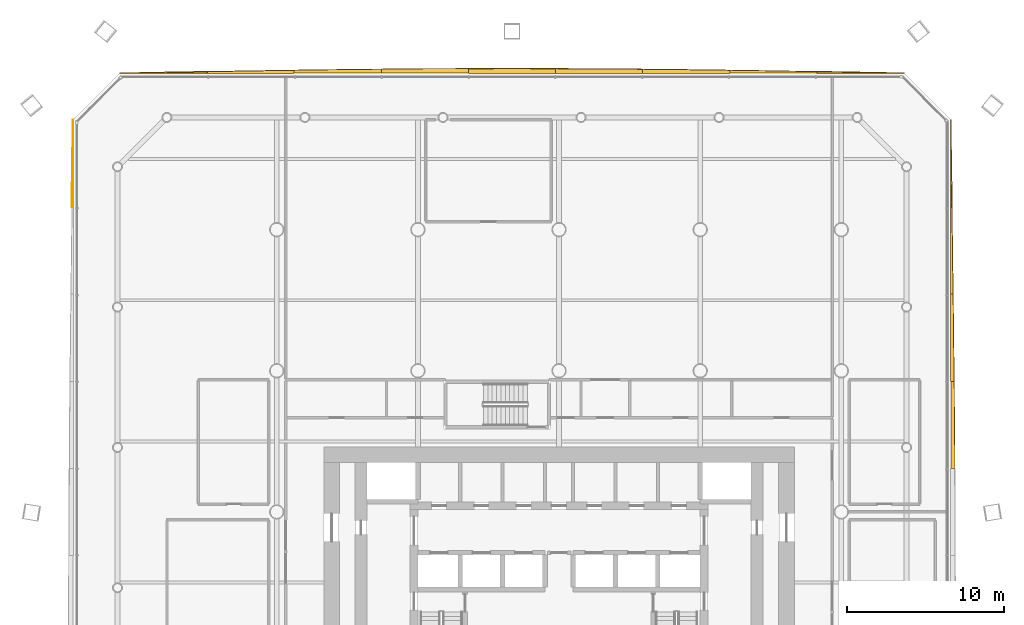
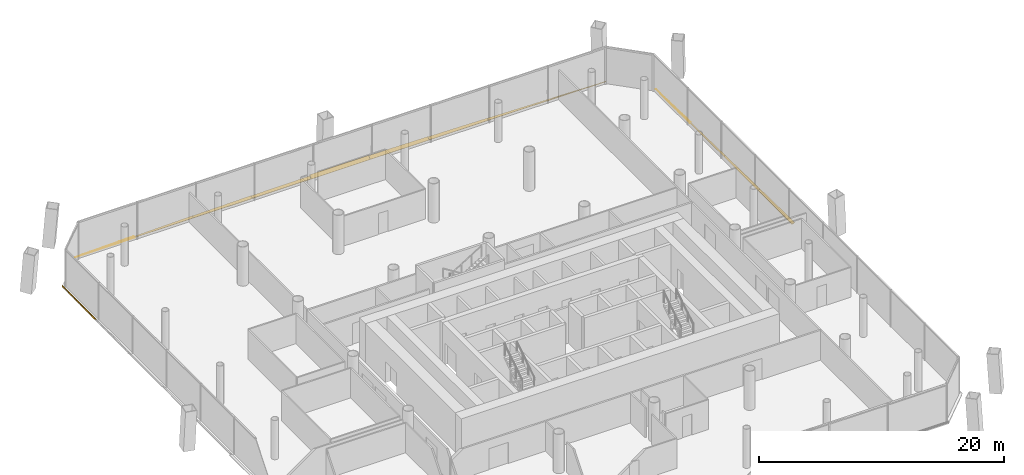
# One storey, part 23 of 23: 14 shading devices.
"""IFC4 building model written with IfcOpenShell, lengths in metres."""

import ifcopenshell
import ifcopenshell.guid

model = None  # the IFC model being written
_history = None  # IfcOwnerHistory: only IFC2X3 demands one
_inside = {}  # id of a spatial element -> (the spatial element, [elements in it])
_under = {}  # id of a project, library or spatial element -> (it, [spatial elements below it])
_declared = {}  # id of a project -> (the project, [libraries it declares])
_typed = {}  # id of a type object -> (the type object, [elements of that type])
_made_of = {}  # id of a material, layer set ... -> (it, [elements and type objects made of it])


def new_model(schema):
    """Start an empty IFC model of exactly this schema.

    Asked for "IFC4X3", IfcOpenShell would pick the latest addendum, in which some entities
    have other attributes; the version numbers below select the first issue.
    IFC2X3 requires an IfcOwnerHistory on every rooted entity: one is made here for all.
    """
    global model, _history
    if schema == "IFC4X3":
        model = ifcopenshell.file(schema_version=(4, 3, 0, 0))
    else:
        model = ifcopenshell.file(schema=schema)
    _inside.clear()
    _under.clear()
    _declared.clear()
    _typed.clear()
    _made_of.clear()
    _history = None
    if model.schema == "IFC2X3":
        org = make("IfcOrganization", Name="unknown")
        user = make(
            "IfcPersonAndOrganization",
            ThePerson=make("IfcPerson", FamilyName="unknown"),
            TheOrganization=org,
        )
        app = make(
            "IfcApplication",
            ApplicationDeveloper=org,
            Version="unknown",
            ApplicationFullName="unknown",
            ApplicationIdentifier="unknown",
        )
        _history = make(
            "IfcOwnerHistory",
            OwningUser=user,
            OwningApplication=app,
            ChangeAction="ADDED",
            CreationDate=0,
        )
    return model


def make(cls, **values):
    """One entity of the class cls with the attributes given. An attribute that is None is left unset."""
    return model.create_entity(
        cls, **{name: value for name, value in values.items() if value is not None}
    )


def rooted(cls, **values):
    """An entity with a GlobalId (a new one), such as an element, a storey or a relation."""
    return make(cls, GlobalId=ifcopenshell.guid.new(), OwnerHistory=_history, **values)


def si_unit(unit_type, name, prefix=None):
    """IfcSIUnit, for example si_unit("LENGTHUNIT", "METRE", prefix="MILLI")."""
    return make("IfcSIUnit", UnitType=unit_type, Prefix=prefix, Name=name)


def assignment(units):
    """IfcUnitAssignment: the units of a project."""
    return None if units is None else make("IfcUnitAssignment", Units=units)


def point(xyz):
    """IfcCartesianPoint."""
    return None if xyz is None else make("IfcCartesianPoint", Coordinates=xyz)


def direction(xyz):
    """IfcDirection."""
    return None if xyz is None else make("IfcDirection", DirectionRatios=xyz)


def frame(location, z_axis=None, x_axis=None):
    """IfcAxis2Placement3D, a coordinate frame: its origin and axes. An axis left out is left unset."""
    return make(
        "IfcAxis2Placement3D",
        Location=point(location),
        Axis=direction(z_axis),
        RefDirection=direction(x_axis),
    )


def origin():
    """The frame at (0, 0, 0) with its axes left unset."""
    return frame((0.0, 0.0, 0.0))


def place(relative_to, where):
    """IfcLocalPlacement: puts the frame where relative to a parent placement (None: the world)."""
    return make(
        "IfcLocalPlacement", PlacementRelTo=relative_to, RelativePlacement=where
    )


def context(
    kind, dimensions, precision=None, world=None, true_north=None, identifier=None
):
    """IfcGeometricRepresentationContext, for example the 3D "Model" context."""
    return make(
        "IfcGeometricRepresentationContext",
        ContextIdentifier=identifier,
        ContextType=kind,
        CoordinateSpaceDimension=dimensions,
        Precision=precision,
        WorldCoordinateSystem=world,
        TrueNorth=true_north,
    )


def subcontext(parent, identifier, kind, view, scale=None):
    """IfcGeometricRepresentationSubContext, for example "Body" below "Model"."""
    return make(
        "IfcGeometricRepresentationSubContext",
        ContextIdentifier=identifier,
        ContextType=kind,
        ParentContext=parent,
        TargetScale=scale,
        TargetView=view,
    )


def project(units=None, contexts=None):
    """IfcProject with its units and contexts."""
    return rooted(
        "IfcProject",
        Name="project",
        RepresentationContexts=contexts,
        UnitsInContext=assignment(units),
    )


def spatial(cls, under=None, at=None, **own):
    """A site, building, storey or space (cls), placed at a placement, below another one or the project."""
    s = rooted(cls, ObjectPlacement=at, **own)
    if under is not None:
        _under.setdefault(under.id(), (under, []))[1].append(s)
    return s


def polyline(points):
    """IfcPolyline through the points."""
    return make("IfcPolyline", Points=[point(p) for p in points])


def outline(outer, holes=None, kind="AREA"):
    """IfcArbitraryClosedProfileDef: a profile drawn as a closed curve; with holes, ...WithVoids."""
    if holes is None:
        return make("IfcArbitraryClosedProfileDef", ProfileType=kind, OuterCurve=outer)
    return make(
        "IfcArbitraryProfileDefWithVoids",
        ProfileType=kind,
        OuterCurve=outer,
        InnerCurves=holes,
    )


def extrude(swept, where, along, depth):
    """IfcExtrudedAreaSolid: the profile swept, set in the frame where, extruded along a direction by depth."""
    return make(
        "IfcExtrudedAreaSolid",
        SweptArea=swept,
        Position=where,
        ExtrudedDirection=direction(along),
        Depth=depth,
    )


def shape(context_of_items, identifier, shape_type, items):
    """IfcShapeRepresentation: the items that make up one representation, for example the "Body"."""
    return make(
        "IfcShapeRepresentation",
        ContextOfItems=context_of_items,
        RepresentationIdentifier=identifier,
        RepresentationType=shape_type,
        Items=items,
    )


def material(Name=None, Category=None):
    """IfcMaterial."""
    return make("IfcMaterial", Name=Name, Category=Category)


def layer(
    of_material, thickness, ventilated=None, Name=None, Category=None, Priority=None
):
    """IfcMaterialLayer: one layer of a wall or slab, of a material (None: an air gap)."""
    return make(
        "IfcMaterialLayer",
        Material=of_material,
        LayerThickness=thickness,
        IsVentilated=ventilated,
        Name=Name,
        Category=Category,
        Priority=Priority,
    )


def layer_set(layers, Name=None):
    """IfcMaterialLayerSet."""
    return make("IfcMaterialLayerSet", MaterialLayers=layers, LayerSetName=Name)


def made_of(thing, what):
    """Note that an element or type object is made of a material, layer set ...; save() writes the relation."""
    if what is not None:
        _made_of.setdefault(what.id(), (what, []))[1].append(thing)
    return thing


def type_object(cls, material=None, **own):
    """A type object (cls), such as IfcWallType, which elements share."""
    return made_of(rooted(cls, **own), material)


def element(
    cls,
    number,
    at=None,
    inside=None,
    cuts=None,
    type_object=None,
    material=None,
    context=None,
    identifier="Body",
    shape_type=None,
    held_by="IfcProductDefinitionShape",
    body=None,
    shapes=None,
    **own,
):
    """One element of the class cls, such as IfcWall. Its Tag is "e" and its number.

    at: its placement. inside: the storey or other place that contains it. cuts: it is an
    opening in that element (IfcRelVoidsElement). A single representation is given by context,
    identifier, shape_type and body (its items); several are given by shapes. held_by: the class
    of the entity that holds the representations. save() writes the other relations.
    """
    e = rooted(cls, Tag="e%d" % number, ObjectPlacement=at, **own)
    if body is not None:
        shapes = [shape(context, identifier, shape_type, body)]
    if shapes is not None:
        e.Representation = make(held_by, Representations=shapes)
    if inside is not None:
        _inside.setdefault(inside.id(), (inside, []))[1].append(e)
    if cuts is not None:
        rooted(
            "IfcRelVoidsElement", RelatingBuildingElement=cuts, RelatedOpeningElement=e
        )
    if type_object is not None:
        _typed.setdefault(type_object.id(), (type_object, []))[1].append(e)
    return made_of(e, material)


def aggregate(whole, parts):
    """IfcRelAggregates: a whole, such as a stair, and the parts it consists of."""
    return rooted("IfcRelAggregates", RelatingObject=whole, RelatedObjects=parts)


def save(model, path):
    """Write the relations noted so far, then the file.

    IfcRelAggregates (storeys below a building ...), IfcRelContainedInSpatialStructure (elements
    in a storey), IfcRelDefinesByType, IfcRelAssociatesMaterial and IfcRelDeclares: one each for
    every whole, place, type object, material and project.
    """
    for whole, parts in _under.values():
        aggregate(whole, parts)
    for where, things in _inside.values():
        rooted(
            "IfcRelContainedInSpatialStructure",
            RelatedElements=things,
            RelatingStructure=where,
        )
    for kind, things in _typed.values():
        rooted("IfcRelDefinesByType", RelatedObjects=things, RelatingType=kind)
    for what, things in _made_of.values():
        rooted("IfcRelAssociatesMaterial", RelatedObjects=things, RelatingMaterial=what)
    for by, libraries in _declared.values():
        rooted("IfcRelDeclares", RelatingContext=by, RelatedDefinitions=libraries)
    model.write(path)


model = new_model("IFC4")

# Units and contexts
model_context = context("Model", 3, precision=1e-05, world=origin(), true_north=direction((0.0, 1.0)))
body_context = subcontext(model_context, "Body", "Model", "MODEL_VIEW")
ifc_project = project(units=[si_unit("LENGTHUNIT", "METRE"), si_unit("AREAUNIT", "SQUARE_METRE"), si_unit("VOLUMEUNIT", "CUBIC_METRE"), si_unit("PLANEANGLEUNIT", "RADIAN"), si_unit("MASSUNIT", "GRAM", prefix="KILO")], contexts=[model_context])

# Site, building, storey
site_placement = place(None, origin())
site = spatial("IfcSite", under=ifc_project, at=site_placement, CompositionType="ELEMENT")
building_placement = place(site_placement, origin())
building = spatial("IfcBuilding", under=site, at=building_placement, Name="Tskaro Facet Tower", CompositionType="ELEMENT")
storey_placement = place(building_placement, frame((0.0, 0.0, 14.699951171875)))
storey = spatial("IfcBuildingStorey", under=building, at=storey_placement, Name="L02", CompositionType="ELEMENT", Elevation=14.699951171875)

# Shading devices
ifc_material = material(Name="Bronze anodised aluminium 6063-T6", Category="aluminium")
ifc_layer = layer(ifc_material, 0.06005859375, Name="Bronze anodised aluminium 6063-T6")
ifc_layer_set = layer_set([ifc_layer], Name="Bronze anodised aluminium 6063-T6")
shading_device_type = type_object("IfcShadingDeviceType", Name="Bronze sun blade (FN1)", PredefinedType="USERDEFINED", material=ifc_layer_set)
shading_device_1_placement = place(storey_placement, frame((24.9794921875, 2.77783203125, 0.056396484375), z_axis=(-0.342153063528, -1.3047884e-05, 0.939644231051), x_axis=(-4.464373e-06, 0.999999999915, 1.2260368e-05)))
element("IfcShadingDevice", 1, at=shading_device_1_placement, inside=storey, type_object=shading_device_type, Name="Fin blade east 6", ObjectType="FIN", PredefinedType="USERDEFINED", context=body_context, shape_type="SweptSolid", body=[
    extrude(outline(polyline([(0.0, 0.0), (5.555419921402103, 4.705623709661036e-21), (5.555419922540837, -0.23023443074007577), (4.8610839845143055, -0.2374931146041504), (4.1665039069527285, -0.24452239313835897), (3.472167968112812, -0.251238732879919), (2.7778320303628306, -0.25772566729161295), (2.083251953077804, -0.26398319637344086), (1.3889160145144381, -0.26992778666262024), (0.6943359375059626, -0.2754135662920675), (-7.808527803647356e-10, -0.2805864071288662), (0.0, 0.0)])), origin(), (0.0, 0.0, -1.0), 0.06005859375),
])
shading_device_2_placement = place(storey_placement, frame((24.974609375, 8.333251953125, 0.054443359375), z_axis=(-0.422449911916, 4.155894e-06, 0.906386270806), x_axis=(1.755657e-06, 0.999999999991, -3.766845e-06)))
element("IfcShadingDevice", 2, at=shading_device_2_placement, inside=storey, type_object=shading_device_type, Name="Fin blade east 7", ObjectType="FIN", PredefinedType="USERDEFINED", context=body_context, shape_type="SweptSolid", body=[
    extrude(outline(polyline([(0.0, 0.0), (5.555664062452023, 1.1764576262035436e-21), (5.5556640626040315, -0.16940790735695954), (4.861083984772742, -0.17880310219806908), (4.166748047137824, -0.18797701132853076), (3.472412109502906, -0.19715092045899246), (2.7778320313053757, -0.20577912098263124), (2.083496093732843, -0.21440732150627004), (1.3889160151066855, -0.222814236319261), (0.6945800775965384, -0.23089672823607693), (-4.759379522767845e-11, -0.23865479725671784), (0.0, 0.0)])), origin(), (0.0, 0.0, -1.0), 0.06005859375),
])
shading_device_3_placement = place(storey_placement, frame((24.969970703125, 13.888916015625, 0.052001953125), z_axis=(-0.499738716057, 3.565354e-06, 0.866176203587), x_axis=(1.781746e-06, 0.999999999994, -3.088225e-06)))
element("IfcShadingDevice", 3, at=shading_device_3_placement, inside=storey, type_object=shading_device_type, Name="Fin blade east 8", ObjectType="FIN", PredefinedType="USERDEFINED", context=body_context, shape_type="SweptSolid", body=[
    extrude(outline(polyline([(0.0, 0.0), (5.5554199218396905, 2.352811854830518e-21), (5.555419921903838, -0.09187605492934156), (4.861083984467004, -0.10314095693449248), (4.166748046595171, -0.1141943901399381), (3.4721679688523026, -0.12512581682290813), (2.777832031299436, -0.13584577470617282), (2.0832519526865734, -0.14635426378973224), (1.388916015887668, -0.15695221515052135), (0.6943359375937709, -0.16712722891189985), (-7.512791866418413e-11, -0.17730224267327838), (0.0, 0.0)])), origin(), (0.0, 0.0, -1.0), 0.06005859375),
])
shading_device_4_placement = place(storey_placement, frame((24.965576171875, 19.4443359375, 0.04931640625), z_axis=(-0.572034925314, 2.3406453e-05, 0.820229262873), x_axis=(1.3389309e-05, 0.999999999726, -1.9198658e-05)))
element("IfcShadingDevice", 4, at=shading_device_4_placement, inside=storey, type_object=shading_device_type, Name="Fin blade east 9", ObjectType="FIN", PredefinedType="USERDEFINED", context=body_context, shape_type="SweptSolid", body=[
    extrude(outline(polyline([(0.0, 0.0), (5.555664060978131, 0.0), (4.861328126451348, -0.012120697680708902), (4.16674804661246, -0.024381052325644054), (3.472412110667379, -0.03684165825551515), (2.77783203082849, -0.04910201290045031), (2.0834960930328332, -0.061022459296223255), (1.3889160131939446, -0.0732828139411584), (0.6945800753982876, -0.08520326033693136), (-3.0223027419578972e-09, -0.0971237067327043), (0.0, 0.0)])), origin(), (0.0, 0.0, -1.0), 0.06005859375),
])
shading_device_5_placement = place(storey_placement, frame((22.0, 27.9794921875, 0.056396484375), z_axis=(-2.3541805e-05, -0.343408877839, 0.939185999718), x_axis=(-0.999999999723, 8.084465e-06, -2.2110133e-05)))
element("IfcShadingDevice", 5, at=shading_device_5_placement, inside=storey, type_object=shading_device_type, Name="Fin blade north 1", ObjectType="FIN", PredefinedType="USERDEFINED", context=body_context, shape_type="SweptSolid", body=[
    extrude(outline(polyline([(0.0, 0.0), (5.5556640609604795, 4.7058305048141744e-21), (5.555664064042702, -0.10913078083861884), (4.861083982612787, -0.09592769348468115), (4.166748047205788, -0.08264076607265404), (3.4721679692001093, -0.06912454520360088), (2.7778320298456167, -0.05537903087752168), (2.0832519498661926, -0.04163351655144249), (1.3889160159096816, -0.02780416216727386), (0.6943359359302569, -0.014058647841194665), (0.0, 0.0)])), origin(), (0.0, 0.0, -1.0), 0.06005859375),
])
shading_device_6_placement = place(storey_placement, frame((16.4443359375, 27.974609375, 0.054443359375), z_axis=(-1.1142487e-05, -0.422581052799, 0.906325136853), x_axis=(-0.999999999938, 4.708604e-06, -1.0098716e-05)))
element("IfcShadingDevice", 6, at=shading_device_6_placement, inside=storey, type_object=shading_device_type, Name="Fin blade north 2", ObjectType="FIN", PredefinedType="USERDEFINED", context=body_context, shape_type="SweptSolid", body=[
    extrude(outline(polyline([(0.0, 0.0), (5.555419921530134, -4.705623709661036e-21), (5.555419922377196, -0.21277018691352434), (4.861083983483344, -0.20151659908299277), (4.1665039052804556, -0.1899385712647331), (3.4721679678689346, -0.17781483267336715), (2.777587892297935, -0.16558792487965124), (2.083251952587292, -0.153021644717529), (1.3886718748835536, -0.13980648457995054), (0.6943359378048004, -0.1265913244423721), (-4.2351418454326835e-10, -0.11315489351941545), (0.0, 0.0)])), origin(), (0.0, 0.0, -1.0), 0.06005859375),
])
shading_device_7_placement = place(storey_placement, frame((10.888916015625, 27.969970703125, 0.052001953125), z_axis=(-4.999052e-06, -0.500005986868, 0.866021947223), x_axis=(-0.999999999988, 2.499556e-06, -4.329289e-06)))
element("IfcShadingDevice", 7, at=shading_device_7_placement, inside=storey, type_object=shading_device_type, Name="Fin blade north 3", ObjectType="FIN", PredefinedType="USERDEFINED", context=body_context, shape_type="SweptSolid", body=[
    extrude(outline(polyline([(0.0, 0.0), (5.555664062430581, -2.3529152524070872e-21), (5.555664062758759, -0.29991480170827967), (4.861083984466913, -0.2920415814171364), (4.166748047246778, -0.2838348582123926), (3.4721679686278706, -0.27487176981512573), (2.77783203047043, -0.2653637473647971), (2.083251953191659, -0.25540015022672885), (1.388916015317399, -0.24501369080973798), (0.694580078336563, -0.23396022556554613), (1.2048703731031585e-10, -0.22269532918189303), (0.0, 0.0)])), origin(), (0.0, 0.0, -1.0), 0.06005859375),
])
shading_device_8_placement = place(storey_placement, frame((5.333251953125, 27.965576171875, 0.04931640625), z_axis=(-2.084349e-06, -0.573342668851, 0.819315680352), x_axis=(-0.999999999998, 1.195046e-06, -1.707739e-06)))
element("IfcShadingDevice", 8, at=shading_device_8_placement, inside=storey, type_object=shading_device_type, Name="Fin blade north 4", ObjectType="FIN", PredefinedType="USERDEFINED", context=body_context, shape_type="SweptSolid", body=[
    extrude(outline(polyline([(0.0, 0.0), (5.555419921862933, 0.0), (5.555419921753143, -0.3605940463246542), (4.861083984255558, -0.3576139302393264), (4.1665039060915525, -0.3537537769521517), (3.4721679688028866, -0.3492136147054037), (2.777587890722631, -0.34413341973659534), (2.0832519532259535, -0.3381731875659399), (1.388916015854446, -0.33187295091549784), (0.6943359373995895, -0.32483265330072153), (-1.7992884305617637e-10, -0.317112346726372), (0.0, 0.0)])), origin(), (0.0, 0.0, -1.0), 0.06005859375),
])
shading_device_9_placement = place(storey_placement, frame((-0.22216796875, 27.96142578125, 0.0458984375), z_axis=(0.0, -0.643083723516, 0.765795876555), x_axis=(-1.0, 0.0, 0.0)))
element("IfcShadingDevice", 9, at=shading_device_9_placement, inside=storey, type_object=shading_device_type, Name="Fin blade north 5", ObjectType="FIN", PredefinedType="USERDEFINED", context=body_context, shape_type="SweptSolid", body=[
    extrude(outline(polyline([(0.0, 0.0), (5.5556640625, 0.0), (5.5556640625, -0.3857387875302562), (4.861083984375, -0.38833350263695854), (4.166748046875, -0.3902402882514387), (3.47216796875, -0.39145914437369655), (2.77783203125, -0.3918031091198077), (2.77783203125, -0.3918031091198077), (2.08349609375, -0.39145914437369655), (1.388916015625, -0.3902402882514387), (0.694580078125, -0.38833350263695854), (0.0, -0.3857387875302562), (0.0, 0.0)])), origin(), (0.0, 0.0, -1.0), 0.06005859375),
])
shading_device_10_placement = place(storey_placement, frame((-5.77783203125, 27.9794921875, 0.056396484375), z_axis=(-1.8171998e-05, -0.342030394928, 0.939688889269), x_axis=(-0.999999999835, 6.215376e-06, -1.7076024e-05)))
element("IfcShadingDevice", 10, at=shading_device_10_placement, inside=storey, type_object=shading_device_type, Name="Fin blade north 6", ObjectType="FIN", PredefinedType="USERDEFINED", context=body_context, shape_type="SweptSolid", body=[
    extrude(outline(polyline([(0.0, 0.0), (5.555419920957741, 0.0), (5.55541992211452, -0.27641473173975706), (4.861083982492717, -0.28321458893576945), (4.166503907549006, -0.28938860663744176), (3.472167968677977, -0.29487437564080565), (2.777832032458474, -0.3000472248969994), (2.0832519510617344, -0.3045318254548847), (1.3889160155930054, -0.3083905865184299), (0.6943359364644656, -0.3117905151164361), (-2.4224404580794956e-09, -0.3144186915017333), (0.0, 0.0)])), origin(), (0.0, 0.0, -1.0), 0.06005859375),
])
shading_device_11_placement = place(storey_placement, frame((-11.333251953125, 27.974609375, 0.054443359375), z_axis=(-4.636396e-06, -0.422507876535, 0.906359252308), x_axis=(-0.999999999989, 1.958914e-06, -4.202241e-06)))
element("IfcShadingDevice", 11, at=shading_device_11_placement, inside=storey, type_object=shading_device_type, Name="Fin blade north 7", ObjectType="FIN", PredefinedType="USERDEFINED", context=body_context, shape_type="SweptSolid", body=[
    extrude(outline(polyline([(0.0, 0.0), (5.555664062440288, 1.1764576262035436e-21), (5.555664062713103, -0.21277019235781214), (4.861083984232772, -0.22358123233509794), (4.166748046925125, -0.23406784186100252), (3.4724121096869154, -0.24400874182119053), (2.777832030867207, -0.2535070835527078), (2.0834960932201834, -0.26268099483284385), (1.388916016043537, -0.27120604521021746), (0.6945800780571361, -0.279067258244585), (-6.57484364452217e-12, -0.2866040408275713), (0.0, 0.0)])), origin(), (0.0, 0.0, -1.0), 0.06005859375),
])
shading_device_12_placement = place(storey_placement, frame((-16.888916015625, 27.969970703125, 0.052001953125), z_axis=(1.3198365e-05, -0.500166945375, 0.86592899627), x_axis=(-0.999999999913, -6.601386e-06, 1.1428847e-05)))
element("IfcShadingDevice", 12, at=shading_device_12_placement, inside=storey, type_object=shading_device_type, Name="Fin blade north 8", ObjectType="FIN", PredefinedType="USERDEFINED", context=body_context, shape_type="SweptSolid", body=[
    extrude(outline(polyline([(0.0, 0.0), (5.555419921391132, 4.705623709661036e-21), (5.555419922520949, -0.11846453764685425), (4.86108398541523, -0.13257618101462204), (4.166748047130932, -0.1463543048653578), (3.472167968221654, -0.16013242871609357), (2.7778320303704427, -0.17336562460342403), (2.0832519523273394, -0.1860538925273492), (1.388916014909215, -0.1987421604512743), (0.6943359372991993, -0.21088550041179413), (-8.644173246184462e-10, -0.22269532085528193), (0.0, 0.0)])), origin(), (0.0, 0.0, -1.0), 0.06005859375),
])
shading_device_13_placement = place(storey_placement, frame((-22.4443359375, 27.965576171875, 0.04931640625), z_axis=(-2.2998811e-05, -0.572619561928, 0.819821222443), x_axis=(-0.999999999736, 1.3169569e-05, -1.8854913e-05)))
element("IfcShadingDevice", 13, at=shading_device_13_placement, inside=storey, type_object=shading_device_type, Name="Fin blade north 9", ObjectType="FIN", PredefinedType="USERDEFINED", context=body_context, shape_type="SweptSolid", body=[
    extrude(outline(polyline([(0.0, 0.0), (5.5556640610306784, -9.411661009628349e-21), (4.861328127016299, -0.015980778764791495), (4.166748044558505, -0.03190120556166797), (3.4724121073288967, -0.04768183266077103), (2.777832029474354, -0.06346245975987409), (2.0834960922447467, -0.07924308685897716), (1.3889160157782272, -0.09468376259461837), (0.6945800799366433, -0.1101244383302596), (-2.9603298656761395e-09, -0.12516481073452396), (0.0, 0.0)])), origin(), (0.0, 0.0, -1.0), 0.06005859375),
])
shading_device_14_placement = place(storey_placement, frame((-30.9794921875, 25.0, 0.056396484375), z_axis=(0.343095628138, -3.276885e-06, 0.939300479049), x_axis=(-1.124285e-06, -0.999999999995, -3.077979e-06)))
element("IfcShadingDevice", 14, at=shading_device_14_placement, inside=storey, type_object=shading_device_type, Name="Fin blade west 1", ObjectType="FIN", PredefinedType="USERDEFINED", context=body_context, shape_type="SweptSolid", body=[
    extrude(outline(polyline([(0.0, 0.0), (5.555664062470172, 0.0), (5.555664062528108, -0.08472664451178935), (4.86108398469939, -0.07429733455469392), (4.166748046744211, -0.06395178817868724), (3.47216796864101, -0.053293156815572694), (2.7778320311628075, -0.042634525452458154), (2.083251953059606, -0.03197589408934362), (1.3889160155814038, -0.021317262726229077), (0.6943359374782025, -0.010658631363114538), (0.0, 0.0)])), origin(), (0.0, 0.0, -1.0), 0.06005859375),
])

save(model, "model.ifc")
